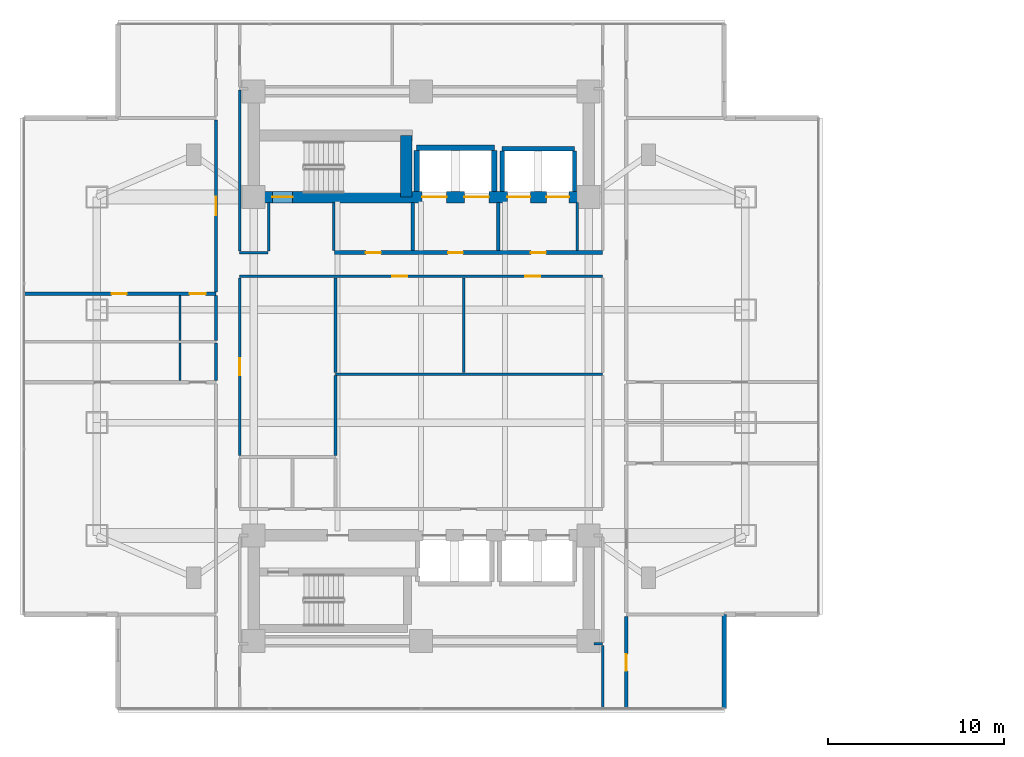
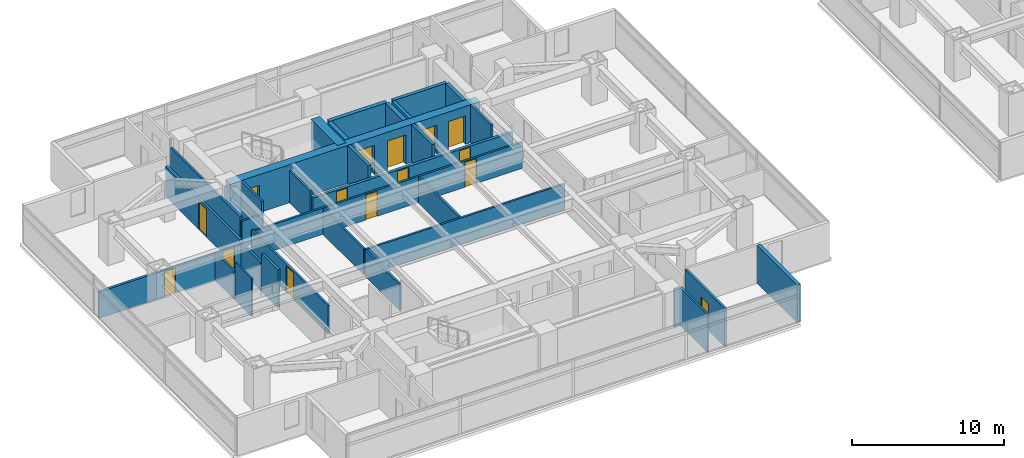
# One storey, part 15 of 27: 32 walls, 15 doors, 15 openings.
"""IFC4 building model written with IfcOpenShell, lengths in metres."""

from ifc_helpers import new_model, si_unit, direction, frame, frame_2d, origin, place, context, subcontext, project, spatial, rectangle, extrude, material, layer, layer_set, type_object, element, fill, save


model = new_model("IFC4")

# Units and contexts
model_context = context("Model", 3, precision=1e-05, world=origin(), true_north=direction((0.0, 1.0)))
body_context = subcontext(model_context, "Body", "Model", "MODEL_VIEW")
ifc_project = project(units=[si_unit("LENGTHUNIT", "METRE"), si_unit("AREAUNIT", "SQUARE_METRE"), si_unit("VOLUMEUNIT", "CUBIC_METRE"), si_unit("PLANEANGLEUNIT", "RADIAN"), si_unit("MASSUNIT", "GRAM", prefix="KILO")], contexts=[model_context])

# Site, building, storey
site_placement = place(None, origin())
site = spatial("IfcSite", under=ifc_project, at=site_placement, CompositionType="ELEMENT")
building_placement = place(site_placement, origin())
building = spatial("IfcBuilding", under=site, at=building_placement, Name="Mirazonda Arch Towers", CompositionType="ELEMENT")
storey_placement = place(building_placement, frame((0.0, 0.0, 75.199951171875)))
storey = spatial("IfcBuildingStorey", under=building, at=storey_placement, Name="L21", CompositionType="ELEMENT", Elevation=75.199951171875)

# Wall, openings, doors
ifc_material_1 = material(Name="Concrete C60/75", Category="concrete")
ifc_layer_1 = layer(ifc_material_1, 0.64990234375, Name="WALL-CORE-650")
ifc_layer_set_1 = layer_set([ifc_layer_1], Name="Concrete C60/75")
wall_type_1 = type_object("IfcWallType", Name="WALL-CORE-650", PredefinedType="SHEAR", material=ifc_layer_set_1)
wall_1_placement = place(storey_placement, frame((11.0, 37.60009765625, 0.0), z_axis=(0.0, 0.0, 1.0), x_axis=(1.0, 0.0, 0.0)))
wall_1 = element("IfcWall", 1, at=wall_1_placement, inside=storey, type_object=wall_type_1, Name="L21 T1N-S Core Shear Wall", PredefinedType="SHEAR", context=body_context, shape_type="SweptSolid", body=[
    extrude(rectangle(XDim=19.0, YDim=0.64990234375, at=frame_2d((9.5, 0.0))), origin(), (0.0, 0.0, 1.0), 3.06005859375),
])
opening_1_placement = place(wall_1_placement, frame((1.06005859375, 0.0, 0.0)))
opening_1 = element("IfcOpeningElement", 2, at=opening_1_placement, cuts=wall_1, Name="Opening DR-135", PredefinedType="OPENING", context=body_context, shape_type="SweptSolid", body=[
    extrude(rectangle(XDim=1.14990234375, YDim=2.199951171875, at=frame_2d((0.574951171875, 1.10009765625))), frame((0.0, 0.3349609375, 0.0), z_axis=(0.0, -1.0, 0.0), x_axis=(1.0, 0.0, 0.0)), (0.0, 0.0, 1.0), 0.669921875),
])
opening_2_placement = place(wall_1_placement, frame((9.550048828125, 0.0, 0.0)))
opening_2 = element("IfcOpeningElement", 3, at=opening_2_placement, cuts=wall_1, Name="Opening LD-112", PredefinedType="OPENING", context=body_context, shape_type="SweptSolid", body=[
    extrude(rectangle(XDim=1.39990234375, YDim=2.35009765625, at=frame_2d((0.699951171875, 1.175048828125))), frame((0.0, 0.3349609375, 0.0), z_axis=(0.0, -1.0, 0.0), x_axis=(1.0, 0.0, 0.0)), (0.0, 0.0, 1.0), 0.669921875),
])
opening_3_placement = place(wall_1_placement, frame((11.949951171875, 0.0, 0.0)))
opening_3 = element("IfcOpeningElement", 4, at=opening_3_placement, cuts=wall_1, Name="Opening LD-112", PredefinedType="OPENING", context=body_context, shape_type="SweptSolid", body=[
    extrude(rectangle(XDim=1.39990234375, YDim=2.35009765625, at=frame_2d((0.699951171875, 1.175048828125))), frame((0.0, 0.3349609375, 0.0), z_axis=(0.0, -1.0, 0.0), x_axis=(1.0, 0.0, 0.0)), (0.0, 0.0, 1.0), 0.669921875),
])
opening_4_placement = place(wall_1_placement, frame((14.39990234375, 0.0, 0.0)))
opening_4 = element("IfcOpeningElement", 5, at=opening_4_placement, cuts=wall_1, Name="Opening LD-111", PredefinedType="OPENING", context=body_context, shape_type="SweptSolid", body=[
    extrude(rectangle(XDim=1.300048828125, YDim=2.300048828125, at=frame_2d((0.64990234375, 1.14990234375))), frame((0.0, 0.3349609375, 0.0), z_axis=(0.0, -1.0, 0.0), x_axis=(1.0, 0.0, 0.0)), (0.0, 0.0, 1.0), 0.669921875),
])
opening_5_placement = place(wall_1_placement, frame((16.60009765625, 0.0, 0.0)))
opening_5 = element("IfcOpeningElement", 6, at=opening_5_placement, cuts=wall_1, Name="Opening LD-111", PredefinedType="OPENING", context=body_context, shape_type="SweptSolid", body=[
    extrude(rectangle(XDim=1.300048828125, YDim=2.300048828125, at=frame_2d((0.64990234375, 1.14990234375))), frame((0.0, 0.3349609375, 0.0), z_axis=(0.0, -1.0, 0.0), x_axis=(1.0, 0.0, 0.0)), (0.0, 0.0, 1.0), 0.669921875),
])
ifc_material_2 = material(Name="Architectural Brushed Steel S355", Category="steel")
door_type_1 = type_object("IfcDoorType", Name="DOOR-LIFT-FFL-1400", OperationType="NOTDEFINED", PredefinedType="DOOR", material=ifc_material_2)
door_1_placement = place(opening_2_placement, origin())
door_1 = element("IfcDoor", 7, at=door_1_placement, inside=storey, type_object=door_type_1, Name="L21 Lift Landing Sliding Door FFL-T1", OperationType="DOUBLE_DOOR_SLIDING", OverallHeight=2.35009765625, OverallWidth=1.39990234375, PredefinedType="DOOR", context=body_context, shape_type="SweptSolid", body=[
    extrude(rectangle(XDim=1.39990234375, YDim=2.35009765625, at=frame_2d((0.699951171875, 1.175048828125))), frame((0.0, 0.02490234375, 0.0), z_axis=(0.0, -1.0, 0.0), x_axis=(1.0, 0.0, 0.0)), (0.0, 0.0, 1.0), 0.050048828125),
])
fill(opening_2, door_1)
door_2_placement = place(opening_3_placement, origin())
door_2 = element("IfcDoor", 8, at=door_2_placement, inside=storey, type_object=door_type_1, Name="L21 Lift Landing Sliding Door SVL-T1", OperationType="DOUBLE_DOOR_SLIDING", OverallHeight=2.35009765625, OverallWidth=1.39990234375, PredefinedType="DOOR", context=body_context, shape_type="SweptSolid", body=[
    extrude(rectangle(XDim=1.39990234375, YDim=2.35009765625, at=frame_2d((0.699951171875, 1.175048828125))), frame((0.0, 0.02490234375, 0.0), z_axis=(0.0, -1.0, 0.0), x_axis=(1.0, 0.0, 0.0)), (0.0, 0.0, 1.0), 0.050048828125),
])
fill(opening_3, door_2)
door_type_2 = type_object("IfcDoorType", Name="DOOR-LIFT-LAND-1300", OperationType="NOTDEFINED", PredefinedType="DOOR", material=ifc_material_2)
door_3_placement = place(opening_4_placement, origin())
door_3 = element("IfcDoor", 9, at=door_3_placement, inside=storey, type_object=door_type_2, Name="L21 Lift Landing Sliding Door PL-T1L1", OperationType="DOUBLE_DOOR_SLIDING", OverallHeight=2.300048828125, OverallWidth=1.300048828125, PredefinedType="DOOR", context=body_context, shape_type="SweptSolid", body=[
    extrude(rectangle(XDim=1.300048828125, YDim=2.300048828125, at=frame_2d((0.64990234375, 1.14990234375))), frame((0.0, 0.02490234375, 0.0), z_axis=(0.0, -1.0, 0.0), x_axis=(1.0, 0.0, 0.0)), (0.0, 0.0, 1.0), 0.050048828125),
])
fill(opening_4, door_3)
door_4_placement = place(opening_5_placement, origin())
door_4 = element("IfcDoor", 10, at=door_4_placement, inside=storey, type_object=door_type_2, Name="L21 Lift Landing Sliding Door PL-T1L2", OperationType="DOUBLE_DOOR_SLIDING", OverallHeight=2.300048828125, OverallWidth=1.300048828125, PredefinedType="DOOR", context=body_context, shape_type="SweptSolid", body=[
    extrude(rectangle(XDim=1.300048828125, YDim=2.300048828125, at=frame_2d((0.64990234375, 1.14990234375))), frame((0.0, 0.02490234375, 0.0), z_axis=(0.0, -1.0, 0.0), x_axis=(1.0, 0.0, 0.0)), (0.0, 0.0, 1.0), 0.050048828125),
])
fill(opening_5, door_4)
door_type_3 = type_object("IfcDoorType", Name="DOOR-STAIR-FD90-1150", OperationType="NOTDEFINED", PredefinedType="DOOR", material=ifc_material_2)
door_5_placement = place(opening_1_placement, origin())
door_5 = element("IfcDoor", 11, at=door_5_placement, inside=storey, type_object=door_type_3, Name="L21 Protected Exit Stair North Door", OperationType="SINGLE_SWING_RIGHT", OverallHeight=2.199951171875, OverallWidth=1.14990234375, PredefinedType="DOOR", context=body_context, shape_type="SweptSolid", body=[
    extrude(rectangle(XDim=1.14990234375, YDim=2.199951171875, at=frame_2d((0.574951171875, 1.10009765625))), frame((0.0, 0.02490234375, 0.0), z_axis=(0.0, -1.0, 0.0), x_axis=(1.0, 0.0, 0.0)), (0.0, 0.0, 1.0), 0.050048828125),
])
fill(opening_1, door_5)

# Walls
wall_2_placement = place(storey_placement, frame((19.64990234375, 37.60009765625, 0.0), z_axis=(0.0, 0.0, 1.0), x_axis=(0.0, 1.0, 0.0)))
element("IfcWall", 12, at=wall_2_placement, inside=storey, type_object=wall_type_1, Name="L21 T1N-STE Core Shear Wall", PredefinedType="SHEAR", context=body_context, shape_type="SweptSolid", body=[
    extrude(rectangle(XDim=3.492919921875, YDim=0.64990234375, at=frame_2d((1.74658203125, 0.0))), origin(), (0.0, 0.0, 1.0), 3.06005859375),
])
ifc_material_3 = material(Name="Precast Concrete C40/50", Category="concrete")
ifc_layer_2 = layer(ifc_material_3, 0.280029296875, Name="WALL-EXT-WALL-280")
ifc_layer_set_2 = layer_set([ifc_layer_2], Name="Precast Concrete C40/50")
wall_type_2 = type_object("IfcWallType", Name="WALL-EXT-WALL-280", PredefinedType="SOLIDWALL", material=ifc_layer_set_2)
wall_3_placement = place(storey_placement, frame((37.699951171875, 8.573974609375, 0.0), z_axis=(0.0, 0.0, 1.0), x_axis=(0.0, 1.0, 0.0)))
element("IfcWall", 13, at=wall_3_placement, inside=storey, type_object=wall_type_2, Name="L21 T1 Corner Notch Return Wall WL-L21-T1-CSE2", PredefinedType="SOLIDWALL", context=body_context, shape_type="SweptSolid", body=[
    extrude(rectangle(XDim=5.340087890625, YDim=0.280029296875, at=frame_2d((2.669921875, 0.0))), origin(), (0.0, 0.0, 1.0), 3.0400390625),
])

# Wall, openings, doors
ifc_material_4 = material(Name="Concrete C40/50", Category="concrete")
ifc_layer_3 = layer(ifc_material_4, 0.219970703125, Name="WALL-FFL-220")
ifc_layer_set_3 = layer_set([ifc_layer_3], Name="Concrete C40/50")
wall_type_3 = type_object("IfcWallType", Name="WALL-FFL-220", PredefinedType="SOLIDWALL", material=ifc_layer_set_3)
wall_4_placement = place(storey_placement, frame((15.590087890625, 34.449951171875, 0.0), z_axis=(0.0, 0.0, 1.0), x_axis=(1.0, 0.0, 0.0)))
wall_4 = element("IfcWall", 14, at=wall_4_placement, inside=storey, type_object=wall_type_3, Name="L21 Interior Partition 041", PredefinedType="SOLIDWALL", context=body_context, shape_type="SweptSolid", body=[
    extrude(rectangle(XDim=15.2099609375, YDim=0.219970703125, at=frame_2d((7.60498046875, 0.0))), origin(), (0.0, 0.0, 1.0), 2.10400390625),
])
opening_6_placement = place(wall_4_placement, frame((6.43505859375, 0.0, 0.0)))
opening_6 = element("IfcOpeningElement", 15, at=opening_6_placement, cuts=wall_4, Name="Opening DR-128", PredefinedType="OPENING", context=body_context, shape_type="SweptSolid", body=[
    extrude(rectangle(XDim=0.85009765625, YDim=2.010009765625, at=frame_2d((0.425048828125, 1.0048828125))), frame((0.0, 0.119873046875, 0.0), z_axis=(0.0, -1.0, 0.0), x_axis=(1.0, 0.0, 0.0)), (0.0, 0.0, 1.0), 0.239990234375),
])
opening_7_placement = place(wall_4_placement, frame((11.135009765625, 0.0, 0.0)))
opening_7 = element("IfcOpeningElement", 16, at=opening_7_placement, cuts=wall_4, Name="Opening DR-128", PredefinedType="OPENING", context=body_context, shape_type="SweptSolid", body=[
    extrude(rectangle(XDim=0.85009765625, YDim=2.010009765625, at=frame_2d((0.425048828125, 1.0048828125))), frame((0.0, 0.119873046875, 0.0), z_axis=(0.0, -1.0, 0.0), x_axis=(1.0, 0.0, 0.0)), (0.0, 0.0, 1.0), 0.239990234375),
])
opening_8_placement = place(wall_4_placement, frame((1.77490234375, 0.0, 0.0)))
opening_8 = element("IfcOpeningElement", 17, at=opening_8_placement, cuts=wall_4, Name="Opening DR-128", PredefinedType="OPENING", context=body_context, shape_type="SweptSolid", body=[
    extrude(rectangle(XDim=0.85009765625, YDim=2.010009765625, at=frame_2d((0.425048828125, 1.0048828125))), frame((0.0, 0.119873046875, 0.0), z_axis=(0.0, -1.0, 0.0), x_axis=(1.0, 0.0, 0.0)), (0.0, 0.0, 1.0), 0.239990234375),
])
door_type_4 = type_object("IfcDoorType", Name="DOOR-RISER-FD60-850", OperationType="NOTDEFINED", PredefinedType="DOOR", material=ifc_material_2)
door_6_placement = place(opening_6_placement, origin())
door_6 = element("IfcDoor", 18, at=door_6_placement, inside=storey, type_object=door_type_4, Name="L21 Firefighting Lift Lobby Door", OperationType="SINGLE_SWING_LEFT", OverallHeight=2.010009765625, OverallWidth=0.85009765625, PredefinedType="DOOR", context=body_context, shape_type="SweptSolid", body=[
    extrude(rectangle(XDim=0.85009765625, YDim=2.010009765625, at=frame_2d((0.425048828125, 1.0048828125))), frame((0.0, 0.02490234375, 0.0), z_axis=(0.0, -1.0, 0.0), x_axis=(1.0, 0.0, 0.0)), (0.0, 0.0, 1.0), 0.050048828125),
])
fill(opening_6, door_6)
door_7_placement = place(opening_7_placement, origin())
door_7 = element("IfcDoor", 19, at=door_7_placement, inside=storey, type_object=door_type_4, Name="L21 Passenger Lift Lobby North Door", OperationType="SINGLE_SWING_RIGHT", OverallHeight=2.010009765625, OverallWidth=0.85009765625, PredefinedType="DOOR", context=body_context, shape_type="SweptSolid", body=[
    extrude(rectangle(XDim=0.85009765625, YDim=2.010009765625, at=frame_2d((0.425048828125, 1.0048828125))), frame((0.0, 0.02490234375, 0.0), z_axis=(0.0, -1.0, 0.0), x_axis=(1.0, 0.0, 0.0)), (0.0, 0.0, 1.0), 0.050048828125),
])
fill(opening_7, door_7)
door_8_placement = place(opening_8_placement, origin())
door_8 = element("IfcDoor", 20, at=door_8_placement, inside=storey, type_object=door_type_4, Name="L21 Housekeeping Linen Room Door", OperationType="SINGLE_SWING_LEFT", OverallHeight=2.010009765625, OverallWidth=0.85009765625, PredefinedType="DOOR", context=body_context, shape_type="SweptSolid", body=[
    extrude(rectangle(XDim=0.85009765625, YDim=2.010009765625, at=frame_2d((0.425048828125, 1.0048828125))), frame((0.0, 0.02490234375, 0.0), z_axis=(0.0, -1.0, 0.0), x_axis=(1.0, 0.0, 0.0)), (0.0, 0.0, 1.0), 0.050048828125),
])
fill(opening_8, door_8)

# Walls
for number, where, z_axis, x_axis, name in (
    (21, (20.02490234375, 34.570068359375, 0.0), (0.0, 0.0, 1.0), (0.0, 1.0, 0.0), "L21 Interior Partition 079"),
    (22, (24.875, 34.570068359375, 0.0), (0.0, 0.0, 1.0), (0.0, 1.0, 0.0), "L21 Interior Partition 087"),
):
    element("IfcWall", number, at=place(storey_placement, frame(where, z_axis=z_axis, x_axis=x_axis)), inside=storey, type_object=wall_type_3, Name=name, PredefinedType="SOLIDWALL", context=body_context, shape_type="SweptSolid", body=[
        extrude(rectangle(XDim=2.7099609375, YDim=0.219970703125, at=frame_2d((1.35498046875, 0.0))), origin(), (0.0, 0.0, 1.0), 3.06005859375),
    ])
ifc_material_5 = material(Name="Fire-Rated Gypsum Stud Partition")
ifc_layer_4 = layer(ifc_material_5, 0.14990234375, Name="WALL-PART-CORR-150")
ifc_layer_set_4 = layer_set([ifc_layer_4], Name="Fire-Rated Gypsum Stud Partition")
wall_type_4 = type_object("IfcWallType", Name="WALL-PART-CORR-150", PredefinedType="PARTITIONING", material=ifc_layer_set_4)
wall_5_placement = place(storey_placement, frame((30.320068359375, 12.25, 0.0), z_axis=(0.0, 0.0, 1.0), x_axis=(1.0, 0.0, 0.0)))
element("IfcWall", 23, at=wall_5_placement, inside=storey, type_object=wall_type_4, Name="L21 Interior Partition 002", PredefinedType="PARTITIONING", context=body_context, shape_type="SweptSolid", body=[
    extrude(rectangle(XDim=0.47998046875, YDim=0.14990234375, at=frame_2d((0.239990234375, 0.0))), origin(), (0.0, 0.0, 1.0), 3.06005859375),
])
wall_6_placement = place(storey_placement, frame((15.639892578125, 27.555908203125, 0.0), z_axis=(0.0, 0.0, 1.0), x_axis=(1.0, 0.0, 0.0)))
element("IfcWall", 24, at=wall_6_placement, inside=storey, type_object=wall_type_4, Name="L21 Interior Partition 030", PredefinedType="PARTITIONING", context=body_context, shape_type="SweptSolid", body=[
    extrude(rectangle(XDim=15.16015625, YDim=0.14990234375, at=frame_2d((7.580078125, 0.0))), origin(), (0.0, 0.0, 1.0), 2.10400390625),
])

# Wall, openings, doors
wall_7_placement = place(storey_placement, frame((10.199951171875, 33.10009765625, 0.0), z_axis=(0.0, 0.0, 1.0), x_axis=(1.0, 0.0, 0.0)))
wall_7 = element("IfcWall", 25, at=wall_7_placement, inside=storey, type_object=wall_type_4, Name="L21 Interior Partition 039", PredefinedType="PARTITIONING", context=body_context, shape_type="SweptSolid", body=[
    extrude(rectangle(XDim=20.60009765625, YDim=0.14990234375, at=frame_2d((10.300048828125, 0.0))), origin(), (0.0, 0.0, 1.0), 2.10400390625),
])
opening_9_placement = place(wall_7_placement, frame((8.653564453125, 0.0, 0.0)))
opening_9 = element("IfcOpeningElement", 26, at=opening_9_placement, cuts=wall_7, Name="Opening DR-128", PredefinedType="OPENING", context=body_context, shape_type="SweptSolid", body=[
    extrude(rectangle(XDim=0.85009765625, YDim=2.010009765625, at=frame_2d((0.425048828125, 1.0048828125))), frame((0.0, 0.0849609375, 0.0), z_axis=(0.0, -1.0, 0.0), x_axis=(1.0, 0.0, 0.0)), (0.0, 0.0, 1.0), 0.169921875),
])
opening_10_placement = place(wall_7_placement, frame((16.21337890625, 0.0, 0.0)))
opening_10 = element("IfcOpeningElement", 27, at=opening_10_placement, cuts=wall_7, Name="Opening DR-128", PredefinedType="OPENING", context=body_context, shape_type="SweptSolid", body=[
    extrude(rectangle(XDim=0.85009765625, YDim=2.010009765625, at=frame_2d((0.425048828125, 1.0048828125))), frame((0.0, 0.0849609375, 0.0), z_axis=(0.0, -1.0, 0.0), x_axis=(1.0, 0.0, 0.0)), (0.0, 0.0, 1.0), 0.169921875),
])
door_9_placement = place(opening_9_placement, origin())
door_9 = element("IfcDoor", 28, at=door_9_placement, inside=storey, type_object=door_type_4, Name="L21 Business Reading Study Door", OperationType="SINGLE_SWING_RIGHT", OverallHeight=2.010009765625, OverallWidth=0.85009765625, PredefinedType="DOOR", context=body_context, shape_type="SweptSolid", body=[
    extrude(rectangle(XDim=0.85009765625, YDim=2.010009765625, at=frame_2d((0.425048828125, 1.0048828125))), frame((0.0, 0.02490234375, 0.0), z_axis=(0.0, -1.0, 0.0), x_axis=(1.0, 0.0, 0.0)), (0.0, 0.0, 1.0), 0.050048828125),
])
fill(opening_9, door_9)
door_10_placement = place(opening_10_placement, origin())
door_10 = element("IfcDoor", 29, at=door_10_placement, inside=storey, type_object=door_type_4, Name="L21 Private Meeting Suite Door", OperationType="SINGLE_SWING_LEFT", OverallHeight=2.010009765625, OverallWidth=0.85009765625, PredefinedType="DOOR", context=body_context, shape_type="SweptSolid", body=[
    extrude(rectangle(XDim=0.85009765625, YDim=2.010009765625, at=frame_2d((0.425048828125, 1.0048828125))), frame((0.0, 0.02490234375, 0.0), z_axis=(0.0, -1.0, 0.0), x_axis=(1.0, 0.0, 0.0)), (0.0, 0.0, 1.0), 0.050048828125),
])
fill(opening_10, door_10)

# Wall
wall_8_placement = place(storey_placement, frame((10.199951171875, 34.449951171875, 0.0), z_axis=(0.0, 0.0, 1.0), x_axis=(1.0, 0.0, 0.0)))
element("IfcWall", 30, at=wall_8_placement, inside=storey, type_object=wall_type_4, Name="L21 Interior Partition 040", PredefinedType="PARTITIONING", context=body_context, shape_type="SweptSolid", body=[
    extrude(rectangle(XDim=1.60009765625, YDim=0.14990234375, at=frame_2d((0.800048828125, 0.0))), origin(), (0.0, 0.0, 1.0), 2.10400390625),
])

# Wall, opening, door
wall_9_placement = place(storey_placement, frame((10.206787109375, 22.93505859375, 0.0), z_axis=(0.0, 0.0, 1.0), x_axis=(0.0, 1.0, 0.0)))
wall_9 = element("IfcWall", 31, at=wall_9_placement, inside=storey, type_object=wall_type_4, Name="L21 Interior Partition 068", PredefinedType="PARTITIONING", context=body_context, shape_type="SweptSolid", body=[
    extrude(rectangle(XDim=10.079833984375, YDim=0.14990234375, at=frame_2d((5.0400390625, 0.0))), origin(), (0.0, 0.0, 1.0), 2.279052734375),
])
opening_11_placement = place(wall_9_placement, frame((4.56494140625, 0.0, 0.0)))
opening_11 = element("IfcOpeningElement", 32, at=opening_11_placement, cuts=wall_9, Name="Opening DR-104", PredefinedType="OPENING", context=body_context, shape_type="SweptSolid", body=[
    extrude(rectangle(XDim=0.949951171875, YDim=2.14990234375, at=frame_2d((0.47509765625, 1.074951171875))), frame((0.0, 0.0849609375, 0.0), z_axis=(0.0, -1.0, 0.0), x_axis=(1.0, 0.0, 0.0)), (0.0, 0.0, 1.0), 0.169921875),
])
door_type_5 = type_object("IfcDoorType", Name="DOOR-ROOM-950", OperationType="NOTDEFINED", PredefinedType="DOOR", material=ifc_material_2)
door_11_placement = place(opening_11_placement, origin())
door_11 = element("IfcDoor", 33, at=door_11_placement, inside=storey, type_object=door_type_5, Name="L21 L21 West Courtyard Salon Door", OperationType="SINGLE_SWING_RIGHT", OverallHeight=2.14990234375, OverallWidth=0.949951171875, PredefinedType="DOOR", context=body_context, shape_type="SweptSolid", body=[
    extrude(rectangle(XDim=0.949951171875, YDim=2.14990234375, at=frame_2d((0.47509765625, 1.074951171875))), frame((0.0, 0.02490234375, 0.0), z_axis=(0.0, -1.0, 0.0), x_axis=(1.0, 0.0, 0.0)), (0.0, 0.0, 1.0), 0.050048828125),
])
fill(opening_11, door_11)

# Walls
wall_10_placement = place(storey_placement, frame((10.199951171875, 34.534912109375, 0.0), z_axis=(0.0, 0.0, 1.0), x_axis=(0.0, 1.0, 0.0)))
element("IfcWall", 34, at=wall_10_placement, inside=storey, type_object=wall_type_4, Name="L21 Interior Partition 069", PredefinedType="PARTITIONING", context=body_context, shape_type="SweptSolid", body=[
    extrude(rectangle(XDim=9.130126953125, YDim=0.14990234375, at=frame_2d((4.56494140625, 0.0))), origin(), (0.0, 0.0, 1.0), 2.43603515625),
])
wall_11_placement = place(storey_placement, frame((11.85009765625, 34.534912109375, 0.0), z_axis=(0.0, 0.0, 1.0), x_axis=(0.0, 1.0, 0.0)))
element("IfcWall", 35, at=wall_11_placement, inside=storey, type_object=wall_type_4, Name="L21 Interior Partition 071", PredefinedType="PARTITIONING", context=body_context, shape_type="SweptSolid", body=[
    extrude(rectangle(XDim=2.7451171875, YDim=0.14990234375, at=frame_2d((1.37255859375, 0.0))), origin(), (0.0, 0.0, 1.0), 3.06005859375),
])
wall_12_placement = place(storey_placement, frame((15.639892578125, 22.93505859375, 0.0), z_axis=(0.0, 0.0, 1.0), x_axis=(0.0, 1.0, 0.0)))
element("IfcWall", 36, at=wall_12_placement, inside=storey, type_object=wall_type_4, Name="L21 Interior Partition 074", PredefinedType="PARTITIONING", context=body_context, shape_type="SweptSolid", body=[
    extrude(rectangle(XDim=4.535888671875, YDim=0.14990234375, at=frame_2d((2.26806640625, 0.0))), origin(), (0.0, 0.0, 1.0), 2.10400390625),
])
wall_13_placement = place(storey_placement, frame((15.639892578125, 27.64111328125, 0.0), z_axis=(0.0, 0.0, 1.0), x_axis=(0.0, 1.0, 0.0)))
element("IfcWall", 37, at=wall_13_placement, inside=storey, type_object=wall_type_4, Name="L21 Interior Partition 075", PredefinedType="PARTITIONING", context=body_context, shape_type="SweptSolid", body=[
    extrude(rectangle(XDim=5.373779296875, YDim=0.14990234375, at=frame_2d((2.68701171875, 0.0))), origin(), (0.0, 0.0, 1.0), 2.10400390625),
])
wall_14_placement = place(storey_placement, frame((15.550048828125, 34.570068359375, 0.0), z_axis=(0.0, 0.0, 1.0), x_axis=(0.0, 1.0, 0.0)))
element("IfcWall", 38, at=wall_14_placement, inside=storey, type_object=wall_type_4, Name="L21 Interior Partition 076", PredefinedType="PARTITIONING", context=body_context, shape_type="SweptSolid", body=[
    extrude(rectangle(XDim=2.7099609375, YDim=0.14990234375, at=frame_2d((1.35498046875, 0.0))), origin(), (0.0, 0.0, 1.0), 2.589111328125),
])
wall_15_placement = place(storey_placement, frame((22.9169921875, 27.64111328125, 0.0), z_axis=(0.0, 0.0, 1.0), x_axis=(0.0, 1.0, 0.0)))
element("IfcWall", 39, at=wall_15_placement, inside=storey, type_object=wall_type_4, Name="L21 Interior Partition 083", PredefinedType="PARTITIONING", context=body_context, shape_type="SweptSolid", body=[
    extrude(rectangle(XDim=5.373779296875, YDim=0.14990234375, at=frame_2d((2.68701171875, 0.0))), origin(), (0.0, 0.0, 1.0), 2.10400390625),
])
wall_16_placement = place(storey_placement, frame((29.35009765625, 34.570068359375, 0.0), z_axis=(0.0, 0.0, 1.0), x_axis=(0.0, 1.0, 0.0)))
element("IfcWall", 40, at=wall_16_placement, inside=storey, type_object=wall_type_4, Name="L21 Interior Partition 090", PredefinedType="PARTITIONING", context=body_context, shape_type="SweptSolid", body=[
    extrude(rectangle(XDim=2.7099609375, YDim=0.14990234375, at=frame_2d((1.35498046875, 0.0))), origin(), (0.0, 0.0, 1.0), 3.06005859375),
])
wall_17_placement = place(storey_placement, frame((30.800048828125, 8.573974609375, 0.0), z_axis=(0.0, 0.0, 1.0), x_axis=(0.0, 1.0, 0.0)))
element("IfcWall", 41, at=wall_17_placement, inside=storey, type_object=wall_type_4, Name="L21 Interior Partition 092", PredefinedType="PARTITIONING", context=body_context, shape_type="SweptSolid", body=[
    extrude(rectangle(XDim=3.591064453125, YDim=0.14990234375, at=frame_2d((1.79541015625, 0.0))), origin(), (0.0, 0.0, 1.0), 3.06005859375),
])

# Wall, openings, doors
ifc_material_6 = material(Name="Fire-Rated Gypsum Twin-Stud Assembly")
ifc_layer_5 = layer(ifc_material_6, 0.179931640625, Name="WALL-PART-DEMISE-180")
ifc_layer_set_5 = layer_set([ifc_layer_5], Name="Fire-Rated Gypsum Twin-Stud Assembly")
wall_type_5 = type_object("IfcWallType", Name="WALL-PART-DEMISE-180", PredefinedType="PARTITIONING", material=ifc_layer_set_5)
wall_18_placement = place(storey_placement, frame((-2.0400390625, 32.111083984375, 0.0), z_axis=(0.0, 0.0, 1.0), x_axis=(1.0, 0.0, 0.0)))
wall_18 = element("IfcWall", 42, at=wall_18_placement, inside=storey, type_object=wall_type_5, Name="L21 Interior Partition 036", PredefinedType="PARTITIONING", context=body_context, shape_type="SweptSolid", body=[
    extrude(rectangle(XDim=10.900146484375, YDim=0.179931640625, at=frame_2d((5.4501953125, 0.0))), origin(), (0.0, 0.0, 1.0), 2.125),
])
opening_12_placement = place(wall_18_placement, frame((4.97509765625, 0.0, 0.0)))
opening_12 = element("IfcOpeningElement", 43, at=opening_12_placement, cuts=wall_18, Name="Opening DR-128", PredefinedType="OPENING", context=body_context, shape_type="SweptSolid", body=[
    extrude(rectangle(XDim=0.85009765625, YDim=2.010009765625, at=frame_2d((0.425048828125, 1.0048828125))), frame((0.0, 0.099853515625, 0.0), z_axis=(0.0, -1.0, 0.0), x_axis=(1.0, 0.0, 0.0)), (0.0, 0.0, 1.0), 0.199951171875),
])
opening_13_placement = place(wall_18_placement, frame((9.409912109375, 0.0, 0.0)))
opening_13 = element("IfcOpeningElement", 44, at=opening_13_placement, cuts=wall_18, Name="Opening DR-120", PredefinedType="OPENING", context=body_context, shape_type="SweptSolid", body=[
    extrude(rectangle(XDim=0.89990234375, YDim=2.10009765625, at=frame_2d((0.449951171875, 1.050048828125))), frame((0.0, 0.099853515625, 0.0), z_axis=(0.0, -1.0, 0.0), x_axis=(1.0, 0.0, 0.0)), (0.0, 0.0, 1.0), 0.199951171875),
])
door_12_placement = place(opening_12_placement, origin())
door_12 = element("IfcDoor", 45, at=door_12_placement, inside=storey, type_object=door_type_4, Name="L21 Suite Bedroom 2 Door", OperationType="SINGLE_SWING_LEFT", OverallHeight=2.010009765625, OverallWidth=0.85009765625, PredefinedType="DOOR", context=body_context, shape_type="SweptSolid", body=[
    extrude(rectangle(XDim=0.85009765625, YDim=2.010009765625, at=frame_2d((0.425048828125, 1.0048828125))), frame((0.0, 0.02490234375, 0.0), z_axis=(0.0, -1.0, 0.0), x_axis=(1.0, 0.0, 0.0)), (0.0, 0.0, 1.0), 0.050048828125),
])
fill(opening_12, door_12)
door_type_6 = type_object("IfcDoorType", Name="DOOR-WC-900", OperationType="NOTDEFINED", PredefinedType="DOOR", material=ifc_material_2)
door_13_placement = place(opening_13_placement, origin())
door_13 = element("IfcDoor", 46, at=door_13_placement, inside=storey, type_object=door_type_6, Name="L21 Suite En-Suite Bathroom 2 Door", OperationType="SINGLE_SWING_RIGHT", OverallHeight=2.10009765625, OverallWidth=0.89990234375, PredefinedType="DOOR", context=body_context, shape_type="SweptSolid", body=[
    extrude(rectangle(XDim=0.89990234375, YDim=2.10009765625, at=frame_2d((0.449951171875, 1.050048828125))), frame((0.0, 0.02490234375, 0.0), z_axis=(0.0, -1.0, 0.0), x_axis=(1.0, 0.0, 0.0)), (0.0, 0.0, 1.0), 0.050048828125),
])
fill(opening_13, door_13)

# Walls
wall_19_placement = place(storey_placement, frame((8.860107421875, 27.19091796875, 0.0), z_axis=(0.0, 0.0, 1.0), x_axis=(0.0, 1.0, 0.0)))
element("IfcWall", 47, at=wall_19_placement, inside=storey, type_object=wall_type_5, Name="L21 Interior Partition 061", PredefinedType="PARTITIONING", context=body_context, shape_type="SweptSolid", body=[
    extrude(rectangle(XDim=2.127685546875, YDim=0.179931640625, at=frame_2d((1.06396484375, 0.0))), origin(), (0.0, 0.0, 1.0), 3.06005859375),
])
wall_20_placement = place(storey_placement, frame((8.860107421875, 29.46337890625, 0.0), z_axis=(0.0, 0.0, 1.0), x_axis=(0.0, 1.0, 0.0)))
element("IfcWall", 48, at=wall_20_placement, inside=storey, type_object=wall_type_5, Name="L21 Interior Partition 062", PredefinedType="PARTITIONING", context=body_context, shape_type="SweptSolid", body=[
    extrude(rectangle(XDim=2.547607421875, YDim=0.179931640625, at=frame_2d((1.27392578125, 0.0))), origin(), (0.0, 0.0, 1.0), 2.279052734375),
])

# Wall, opening, door
wall_21_placement = place(storey_placement, frame((8.860107421875, 32.2109375, 0.0), z_axis=(0.0, 0.0, 1.0), x_axis=(0.0, 1.0, 0.0)))
wall_21 = element("IfcWall", 49, at=wall_21_placement, inside=storey, type_object=wall_type_5, Name="L21 Interior Partition 063", PredefinedType="PARTITIONING", context=body_context, shape_type="SweptSolid", body=[
    extrude(rectangle(XDim=9.775146484375, YDim=0.179931640625, at=frame_2d((4.8876953125, 0.0))), origin(), (0.0, 0.0, 1.0), 2.43603515625),
])
opening_14_placement = place(wall_21_placement, frame((4.362548828125, 0.0, 0.0)))
opening_14 = element("IfcOpeningElement", 50, at=opening_14_placement, cuts=wall_21, Name="Opening DR-121", PredefinedType="OPENING", context=body_context, shape_type="SweptSolid", body=[
    extrude(rectangle(XDim=1.050048828125, YDim=2.199951171875, at=frame_2d((0.52490234375, 1.10009765625))), frame((0.0, 0.099853515625, 0.0), z_axis=(0.0, -1.0, 0.0), x_axis=(1.0, 0.0, 0.0)), (0.0, 0.0, 1.0), 0.199951171875),
])
door_type_7 = type_object("IfcDoorType", Name="DOOR-SUITE-FD60-1050", OperationType="NOTDEFINED", PredefinedType="DOOR", material=ifc_material_2)
door_14_placement = place(opening_14_placement, origin())
door_14 = element("IfcDoor", 51, at=door_14_placement, inside=storey, type_object=door_type_7, Name="L21 Presidential Hotel Suite 2 Door", OperationType="SINGLE_SWING_RIGHT", OverallHeight=2.199951171875, OverallWidth=1.050048828125, PredefinedType="DOOR", context=body_context, shape_type="SweptSolid", body=[
    extrude(rectangle(XDim=1.050048828125, YDim=2.199951171875, at=frame_2d((0.52490234375, 1.10009765625))), frame((0.0, 0.02490234375, 0.0), z_axis=(0.0, -1.0, 0.0), x_axis=(1.0, 0.0, 0.0)), (0.0, 0.0, 1.0), 0.050048828125),
])
fill(opening_14, door_14)

wall_22_placement = place(storey_placement, frame((32.139892578125, 8.573974609375, 0.0), z_axis=(0.0, 0.0, 1.0), x_axis=(0.0, 1.0, 0.0)))
wall_22 = element("IfcWall", 52, at=wall_22_placement, inside=storey, type_object=wall_type_5, Name="L21 Interior Partition 098", PredefinedType="PARTITIONING", context=body_context, shape_type="SweptSolid", body=[
    extrude(rectangle(XDim=5.239990234375, YDim=0.179931640625, at=frame_2d((2.6201171875, 0.0))), origin(), (0.0, 0.0, 1.0), 3.06005859375),
])
opening_15_placement = place(wall_22_placement, frame((2.14501953125, 0.0, 0.0)))
opening_15 = element("IfcOpeningElement", 53, at=opening_15_placement, cuts=wall_22, Name="Opening DR-104", PredefinedType="OPENING", context=body_context, shape_type="SweptSolid", body=[
    extrude(rectangle(XDim=0.949951171875, YDim=2.14990234375, at=frame_2d((0.47509765625, 1.074951171875))), frame((0.0, 0.099853515625, 0.0), z_axis=(0.0, -1.0, 0.0), x_axis=(1.0, 0.0, 0.0)), (0.0, 0.0, 1.0), 0.199951171875),
])
door_15_placement = place(opening_15_placement, origin())
door_15 = element("IfcDoor", 54, at=door_15_placement, inside=storey, type_object=door_type_5, Name="L21 South Horizon Lounge Alcove East Door", OperationType="SINGLE_SWING_RIGHT", OverallHeight=2.14990234375, OverallWidth=0.949951171875, PredefinedType="DOOR", context=body_context, shape_type="SweptSolid", body=[
    extrude(rectangle(XDim=0.949951171875, YDim=2.14990234375, at=frame_2d((0.47509765625, 1.074951171875))), frame((0.0, 0.02490234375, 0.0), z_axis=(0.0, -1.0, 0.0), x_axis=(1.0, 0.0, 0.0)), (0.0, 0.0, 1.0), 0.050048828125),
])
fill(opening_15, door_15)

# Walls
ifc_material_7 = material(Name="Acoustic Fire-Rated Gypsum Partition")
ifc_layer_6 = layer(ifc_material_7, 0.125, Name="WALL-PART-UNIT-125")
ifc_layer_set_6 = layer_set([ifc_layer_6], Name="Acoustic Fire-Rated Gypsum Partition")
wall_type_6 = type_object("IfcWallType", Name="WALL-PART-UNIT-125", PredefinedType="PARTITIONING", material=ifc_layer_set_6)
wall_23_placement = place(storey_placement, frame((6.820068359375, 27.19091796875, 0.0), z_axis=(0.0, 0.0, 1.0), x_axis=(0.0, 1.0, 0.0)))
element("IfcWall", 55, at=wall_23_placement, inside=storey, type_object=wall_type_6, Name="L21 Interior Partition 057", PredefinedType="PARTITIONING", context=body_context, shape_type="SweptSolid", body=[
    extrude(rectangle(XDim=2.127685546875, YDim=0.125, at=frame_2d((1.06396484375, 0.0))), origin(), (0.0, 0.0, 1.0), 3.06005859375),
])
wall_24_placement = place(storey_placement, frame((6.820068359375, 29.46337890625, 0.0), z_axis=(0.0, 0.0, 1.0), x_axis=(0.0, 1.0, 0.0)))
element("IfcWall", 56, at=wall_24_placement, inside=storey, type_object=wall_type_6, Name="L21 Interior Partition 058", PredefinedType="PARTITIONING", context=body_context, shape_type="SweptSolid", body=[
    extrude(rectangle(XDim=2.547607421875, YDim=0.125, at=frame_2d((1.27392578125, 0.0))), origin(), (0.0, 0.0, 1.0), 2.279052734375),
])
ifc_layer_7 = layer(ifc_material_4, 0.25, Name="WALL-SHAFT-250")
ifc_layer_set_7 = layer_set([ifc_layer_7], Name="Concrete C40/50")
wall_type_7 = type_object("IfcWallType", Name="WALL-SHAFT-250", PredefinedType="SOLIDWALL", material=ifc_layer_set_7)
wall_25_placement = place(storey_placement, frame((25.10009765625, 40.35009765625, 0.0), z_axis=(0.0, 0.0, 1.0), x_axis=(1.0, 0.0, 0.0)))
element("IfcWall", 57, at=wall_25_placement, inside=storey, type_object=wall_type_7, Name="L21 Interior Partition 051", PredefinedType="SOLIDWALL", context=body_context, shape_type="SweptSolid", body=[
    extrude(rectangle(XDim=4.099853515625, YDim=0.25, at=frame_2d((2.0498046875, 0.0))), origin(), (0.0, 0.0, 1.0), 3.06005859375),
])
for number, where, z_axis, x_axis, name in (
    (58, (25.10009765625, 37.919921875, 0.0), (0.0, 0.0, 1.0), (0.0, 1.0, 0.0), "L21 Interior Partition 088"),
    (59, (29.199951171875, 37.919921875, 0.0), (0.0, 0.0, 1.0), (0.0, 1.0, 0.0), "L21 Interior Partition 091"),
):
    element("IfcWall", number, at=place(storey_placement, frame(where, z_axis=z_axis, x_axis=x_axis)), inside=storey, type_object=wall_type_7, Name=name, PredefinedType="SOLIDWALL", context=body_context, shape_type="SweptSolid", body=[
        extrude(rectangle(XDim=2.295166015625, YDim=0.25, at=frame_2d((1.1474609375, 0.0))), origin(), (0.0, 0.0, 1.0), 3.06005859375),
    ])
ifc_material_8 = material(Name="Concrete C50/60", Category="concrete")
ifc_layer_8 = layer(ifc_material_8, 0.300048828125, Name="WALL-SHAFT-300")
ifc_layer_set_8 = layer_set([ifc_layer_8], Name="Concrete C50/60")
wall_type_8 = type_object("IfcWallType", Name="WALL-SHAFT-300", PredefinedType="SOLIDWALL", material=ifc_layer_set_8)
wall_26_placement = place(storey_placement, frame((20.25, 40.39990234375, 0.0), z_axis=(0.0, 0.0, 1.0), x_axis=(1.0, 0.0, 0.0)))
element("IfcWall", 60, at=wall_26_placement, inside=storey, type_object=wall_type_8, Name="L21 Interior Partition 052", PredefinedType="SOLIDWALL", context=body_context, shape_type="SweptSolid", body=[
    extrude(rectangle(XDim=4.39990234375, YDim=0.300048828125, at=frame_2d((2.199951171875, 0.0))), origin(), (0.0, 0.0, 1.0), 3.06005859375),
])
for number, where, z_axis, x_axis, name in (
    (61, (20.25, 37.919921875, 0.0), (0.0, 0.0, 1.0), (0.0, 1.0, 0.0), "L21 Interior Partition 082"),
    (62, (24.64990234375, 37.919921875, 0.0), (0.0, 0.0, 1.0), (0.0, 1.0, 0.0), "L21 Interior Partition 085"),
):
    element("IfcWall", number, at=place(storey_placement, frame(where, z_axis=z_axis, x_axis=x_axis)), inside=storey, type_object=wall_type_8, Name=name, PredefinedType="SOLIDWALL", context=body_context, shape_type="SweptSolid", body=[
        extrude(rectangle(XDim=2.320068359375, YDim=0.300048828125, at=frame_2d((1.16015625, 0.0))), origin(), (0.0, 0.0, 1.0), 3.06005859375),
    ])

save(model, "model.ifc")
